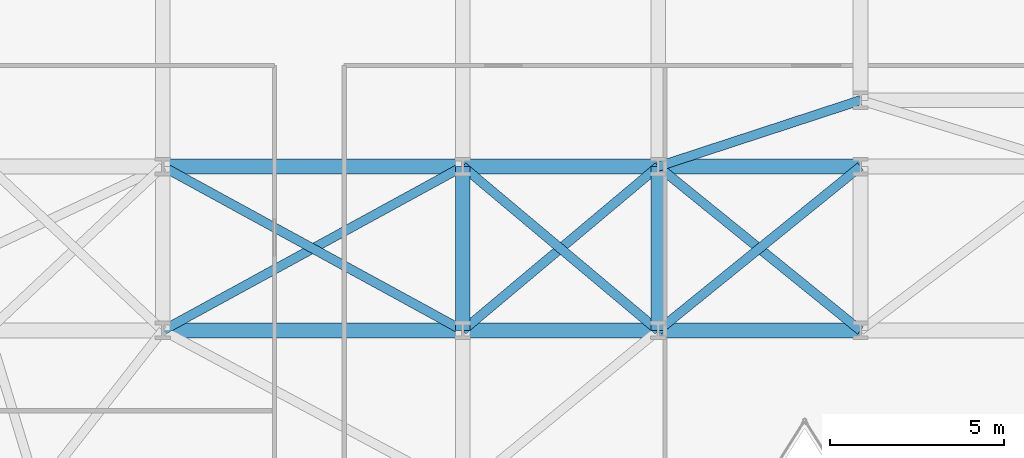
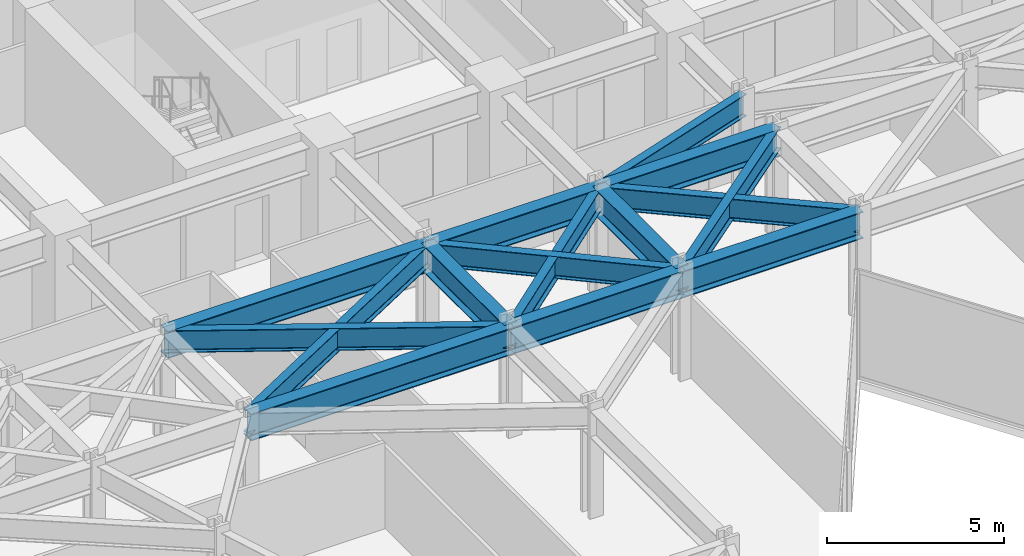
# One storey, part 11 of 25: 15 beams.
"""IFC4 building model written with IfcOpenShell, lengths in metres."""

from ifc_helpers import new_model, si_unit, direction, frame, origin, origin_2d, place, context, subcontext, project, spatial, i_section, extrude, material, material_profile, profile_set, type_object, element, save


model = new_model("IFC4")

# Units and contexts
model_context = context("Model", 3, precision=1e-05, world=origin(), true_north=direction((0.0, 1.0)))
body_context = subcontext(model_context, "Body", "Model", "MODEL_VIEW")
ifc_project = project(units=[si_unit("LENGTHUNIT", "METRE"), si_unit("AREAUNIT", "SQUARE_METRE"), si_unit("VOLUMEUNIT", "CUBIC_METRE"), si_unit("PLANEANGLEUNIT", "RADIAN"), si_unit("MASSUNIT", "GRAM", prefix="KILO")], contexts=[model_context])

# Site, building, storey
site_placement = place(None, origin())
site = spatial("IfcSite", under=ifc_project, at=site_placement, CompositionType="ELEMENT")
building_placement = place(site_placement, origin())
building = spatial("IfcBuilding", under=site, at=building_placement, Name="Kravanh Interchange Tower", CompositionType="ELEMENT")
storey_placement = place(building_placement, frame((0.0, 0.0, 41.5)))
storey = spatial("IfcBuildingStorey", under=building, at=storey_placement, Name="L09", CompositionType="ELEMENT", Elevation=41.5)

# Beams
ifc_material_1 = material(Name="Structural Steel S355", Category="steel")
ifc_material_profile_1 = material_profile(ifc_material_1, i_section(OverallWidth=0.41796875, OverallDepth=0.927001953125, WebThickness=0.019287109375, FlangeThickness=0.031982421875, FilletRadius=0.028076171875, at=origin_2d()), Name="W36X231")
ifc_profile_set_1 = profile_set([ifc_material_profile_1], Name="Structural Steel S355")
beam_type_1 = type_object("IfcBeamType", Name="Floor Beam W36X231 Structural Steel S355", PredefinedType="BEAM", material=ifc_profile_set_1)
beam_1_placement = place(storey_placement, frame((18.60009765625, 26.800048828125, 3.276611328125), z_axis=(1.0, 0.0, 0.0), x_axis=(0.0, 1.0, 0.0)))
element("IfcBeam", 1, at=beam_1_placement, inside=storey, type_object=beam_type_1, Name="L09 Primary Floor Girder 76", PredefinedType="BEAM", context=body_context, shape_type="SweptSolid", body=[
    extrude(i_section(OverallWidth=0.41796875, OverallDepth=0.927001953125, WebThickness=0.019287109375, FlangeThickness=0.031982421875, FilletRadius=0.028076171875, at=origin_2d()), origin(), (0.0, 0.0, 1.0), 8.599853515625),
])
beam_2_placement = place(storey_placement, frame((27.199951171875, 26.800048828125, 3.276611328125), z_axis=(0.0, 1.0, 0.0), x_axis=(-1.0, 0.0, 0.0)))
element("IfcBeam", 2, at=beam_2_placement, inside=storey, type_object=beam_type_1, Name="L09 Primary Floor Girder 78", PredefinedType="BEAM", context=body_context, shape_type="SweptSolid", body=[
    extrude(i_section(OverallWidth=0.41796875, OverallDepth=0.927001953125, WebThickness=0.019287109375, FlangeThickness=0.031982421875, FilletRadius=0.028076171875, at=origin_2d()), origin(), (0.0, 0.0, 1.0), 4.699951171875),
])
beam_3_placement = place(storey_placement, frame((27.199951171875, 26.800048828125, 3.276611328125), z_axis=(1.0, 0.0, 0.0), x_axis=(0.0, 1.0, 0.0)))
element("IfcBeam", 3, at=beam_3_placement, inside=storey, type_object=beam_type_1, Name="L09 Primary Floor Girder 79", PredefinedType="BEAM", context=body_context, shape_type="SweptSolid", body=[
    extrude(i_section(OverallWidth=0.41796875, OverallDepth=0.927001953125, WebThickness=0.019287109375, FlangeThickness=0.031982421875, FilletRadius=0.028076171875, at=origin_2d()), origin(), (0.0, 0.0, 1.0), 5.60009765625),
])
beam_4_placement = place(storey_placement, frame((32.800048828125, 26.800048828125, 3.276611328125), z_axis=(0.0, 1.0, 0.0), x_axis=(-1.0, 0.0, 0.0)))
element("IfcBeam", 4, at=beam_4_placement, inside=storey, type_object=beam_type_1, Name="L09 Primary Floor Girder 82", PredefinedType="BEAM", context=body_context, shape_type="SweptSolid", body=[
    extrude(i_section(OverallWidth=0.41796875, OverallDepth=0.927001953125, WebThickness=0.019287109375, FlangeThickness=0.031982421875, FilletRadius=0.028076171875, at=origin_2d()), origin(), (0.0, 0.0, 1.0), 4.699951171875),
])
beam_5_placement = place(storey_placement, frame((32.800048828125, 26.800048828125, 3.276611328125), z_axis=(1.0, 0.0, 0.0), x_axis=(0.0, 1.0, 0.0)))
element("IfcBeam", 5, at=beam_5_placement, inside=storey, type_object=beam_type_1, Name="L09 Primary Floor Girder 83", PredefinedType="BEAM", context=body_context, shape_type="SweptSolid", body=[
    extrude(i_section(OverallWidth=0.41796875, OverallDepth=0.927001953125, WebThickness=0.019287109375, FlangeThickness=0.031982421875, FilletRadius=0.028076171875, at=origin_2d()), origin(), (0.0, 0.0, 1.0), 5.800048828125),
])
beam_6_placement = place(storey_placement, frame((18.60009765625, 31.5, 3.276611328125), z_axis=(1.0, 0.0, 0.0), x_axis=(0.0, 1.0, 0.0)))
element("IfcBeam", 6, at=beam_6_placement, inside=storey, type_object=beam_type_1, Name="L09 Primary Floor Girder 106", PredefinedType="BEAM", context=body_context, shape_type="SweptSolid", body=[
    extrude(i_section(OverallWidth=0.41796875, OverallDepth=0.927001953125, WebThickness=0.019287109375, FlangeThickness=0.031982421875, FilletRadius=0.028076171875, at=origin_2d()), origin(), (0.0, 0.0, 1.0), 8.599853515625),
])
beam_7_placement = place(storey_placement, frame((27.199951171875, 31.5, 3.276611328125), z_axis=(1.0, 0.0, 0.0), x_axis=(0.0, 1.0, 0.0)))
element("IfcBeam", 7, at=beam_7_placement, inside=storey, type_object=beam_type_1, Name="L09 Primary Floor Girder 107", PredefinedType="BEAM", context=body_context, shape_type="SweptSolid", body=[
    extrude(i_section(OverallWidth=0.41796875, OverallDepth=0.927001953125, WebThickness=0.019287109375, FlangeThickness=0.031982421875, FilletRadius=0.028076171875, at=origin_2d()), origin(), (0.0, 0.0, 1.0), 5.60009765625),
])
beam_8_placement = place(storey_placement, frame((32.800048828125, 31.5, 3.276611328125), z_axis=(1.0, 0.0, 0.0), x_axis=(0.0, 1.0, 0.0)))
element("IfcBeam", 8, at=beam_8_placement, inside=storey, type_object=beam_type_1, Name="L09 Primary Floor Girder 109", PredefinedType="BEAM", context=body_context, shape_type="SweptSolid", body=[
    extrude(i_section(OverallWidth=0.41796875, OverallDepth=0.927001953125, WebThickness=0.019287109375, FlangeThickness=0.031982421875, FilletRadius=0.028076171875, at=origin_2d()), origin(), (0.0, 0.0, 1.0), 5.800048828125),
])
ifc_material_2 = material(Name="Structural Steel S355", Category="steel")
ifc_material_profile_2 = material_profile(ifc_material_2, i_section(OverallWidth=0.26708984375, OverallDepth=0.761962890625, WebThickness=0.014404296875, FlangeThickness=0.021484375, FilletRadius=0.02490234375, at=origin_2d()), Name="W30X116")
ifc_profile_set_2 = profile_set([ifc_material_profile_2], Name="Structural Steel S355")
beam_type_2 = type_object("IfcBeamType", Name="Floor Spandrel W30X116 Structural Steel S355", PredefinedType="SPANDREL", material=ifc_profile_set_2)
beam_9_placement = place(storey_placement, frame((18.60009765625, 26.800048828125, 3.35888671875), z_axis=(0.877503996342, 0.479569323877, 0.0), x_axis=(-0.479569323877, 0.877503996342, 0.0)))
element("IfcBeam", 9, at=beam_9_placement, inside=storey, type_object=beam_type_2, Name="L09 Perimeter Spandrel 77", PredefinedType="SPANDREL", context=body_context, shape_type="SweptSolid", body=[
    extrude(i_section(OverallWidth=0.26708984375, OverallDepth=0.761962890625, WebThickness=0.014404296875, FlangeThickness=0.021484375, FilletRadius=0.02490234375, at=origin_2d()), origin(), (0.0, 0.0, 1.0), 9.80029296875),
])
beam_10_placement = place(storey_placement, frame((27.199951171875, 26.800048828125, 3.35888671875), z_axis=(0.765983062929, 0.642860752657, 0.0), x_axis=(-0.642860752657, 0.765983062929, 0.0)))
element("IfcBeam", 10, at=beam_10_placement, inside=storey, type_object=beam_type_2, Name="L09 Perimeter Spandrel 80", PredefinedType="SPANDREL", context=body_context, shape_type="SweptSolid", body=[
    extrude(i_section(OverallWidth=0.26708984375, OverallDepth=0.761962890625, WebThickness=0.014404296875, FlangeThickness=0.021484375, FilletRadius=0.02490234375, at=origin_2d()), origin(), (0.0, 0.0, 1.0), 7.31103515625),
])
beam_11_placement = place(storey_placement, frame((27.199951171875, 26.800048828125, 3.35888671875), z_axis=(-0.877503996342, 0.479569323877, 0.0), x_axis=(-0.479569323877, -0.877503996342, 0.0)))
element("IfcBeam", 11, at=beam_11_placement, inside=storey, type_object=beam_type_2, Name="L09 Perimeter Spandrel 81", PredefinedType="SPANDREL", context=body_context, shape_type="SweptSolid", body=[
    extrude(i_section(OverallWidth=0.26708984375, OverallDepth=0.761962890625, WebThickness=0.014404296875, FlangeThickness=0.021484375, FilletRadius=0.02490234375, at=origin_2d()), origin(), (0.0, 0.0, 1.0), 9.80029296875),
])
beam_12_placement = place(storey_placement, frame((32.800048828125, 26.800048828125, 3.35888671875), z_axis=(-0.765983062929, 0.642860752657, 0.0), x_axis=(-0.642860752657, -0.765983062929, 0.0)))
element("IfcBeam", 12, at=beam_12_placement, inside=storey, type_object=beam_type_2, Name="L09 Perimeter Spandrel 84", PredefinedType="SPANDREL", context=body_context, shape_type="SweptSolid", body=[
    extrude(i_section(OverallWidth=0.26708984375, OverallDepth=0.761962890625, WebThickness=0.014404296875, FlangeThickness=0.021484375, FilletRadius=0.02490234375, at=origin_2d()), origin(), (0.0, 0.0, 1.0), 7.31103515625),
])
for number, where, z_axis, x_axis, name in (
    (13, (32.800048828125, 26.800048828125, 3.35888671875), (0.776938619557, 0.629576350764, 0.0), (-0.629576350764, 0.776938619557, 0.0), "L09 Perimeter Spandrel 85"),
    (14, (38.60009765625, 26.800048828125, 3.35888671875), (-0.776938619557, 0.629576350764, 0.0), (-0.629576350764, -0.776938619557, 0.0), "L09 Perimeter Spandrel 87"),
):
    element("IfcBeam", number, at=place(storey_placement, frame(where, z_axis=z_axis, x_axis=x_axis)), inside=storey, type_object=beam_type_2, Name=name, PredefinedType="SPANDREL", context=body_context, shape_type="SweptSolid", body=[
        extrude(i_section(OverallWidth=0.26708984375, OverallDepth=0.761962890625, WebThickness=0.014404296875, FlangeThickness=0.021484375, FilletRadius=0.02490234375, at=origin_2d()), origin(), (0.0, 0.0, 1.0), 7.46533203125),
    ])
beam_13_placement = place(storey_placement, frame((32.800048828125, 31.5, 3.35888671875), z_axis=(0.950314536578, 0.31129131303, 0.0), x_axis=(-0.31129131303, 0.950314536578, 0.0)))
element("IfcBeam", 15, at=beam_13_placement, inside=storey, type_object=beam_type_2, Name="L09 Perimeter Spandrel 110", PredefinedType="SPANDREL", context=body_context, shape_type="SweptSolid", body=[
    extrude(i_section(OverallWidth=0.26708984375, OverallDepth=0.761962890625, WebThickness=0.014404296875, FlangeThickness=0.021484375, FilletRadius=0.02490234375, at=origin_2d()), origin(), (0.0, 0.0, 1.0), 6.103271484375),
])

save(model, "model.ifc")
